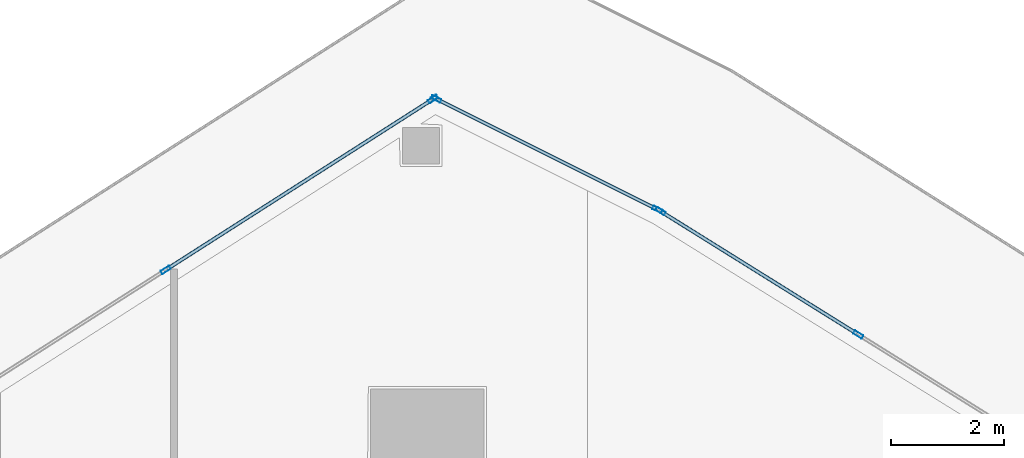
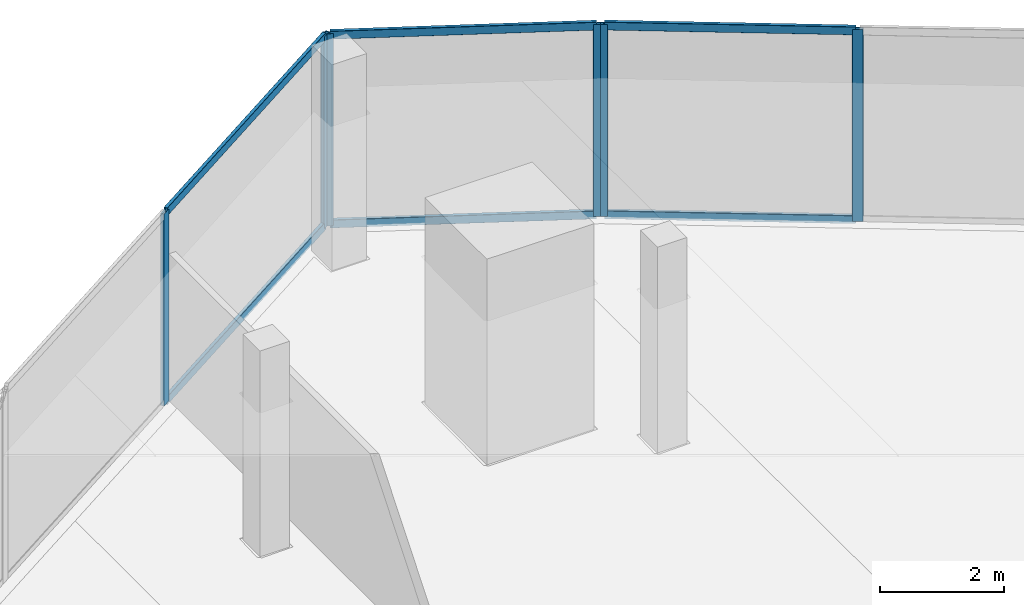
# One storey, part 22 of 37: 12 members, 3 elements without a shape of their own.
"""IFC4 building model written with IfcOpenShell, lengths in metres."""

import ifcopenshell
import ifcopenshell.guid

model = None  # the IFC model being written
_history = None  # IfcOwnerHistory: only IFC2X3 demands one
_inside = {}  # id of a spatial element -> (the spatial element, [elements in it])
_under = {}  # id of a project, library or spatial element -> (it, [spatial elements below it])
_declared = {}  # id of a project -> (the project, [libraries it declares])
_typed = {}  # id of a type object -> (the type object, [elements of that type])
_made_of = {}  # id of a material, layer set ... -> (it, [elements and type objects made of it])


def new_model(schema):
    """Start an empty IFC model of exactly this schema.

    Asked for "IFC4X3", IfcOpenShell would pick the latest addendum, in which some entities
    have other attributes; the version numbers below select the first issue.
    IFC2X3 requires an IfcOwnerHistory on every rooted entity: one is made here for all.
    """
    global model, _history
    if schema == "IFC4X3":
        model = ifcopenshell.file(schema_version=(4, 3, 0, 0))
    else:
        model = ifcopenshell.file(schema=schema)
    _inside.clear()
    _under.clear()
    _declared.clear()
    _typed.clear()
    _made_of.clear()
    _history = None
    if model.schema == "IFC2X3":
        org = make("IfcOrganization", Name="unknown")
        user = make(
            "IfcPersonAndOrganization",
            ThePerson=make("IfcPerson", FamilyName="unknown"),
            TheOrganization=org,
        )
        app = make(
            "IfcApplication",
            ApplicationDeveloper=org,
            Version="unknown",
            ApplicationFullName="unknown",
            ApplicationIdentifier="unknown",
        )
        _history = make(
            "IfcOwnerHistory",
            OwningUser=user,
            OwningApplication=app,
            ChangeAction="ADDED",
            CreationDate=0,
        )
    return model


def make(cls, **values):
    """One entity of the class cls with the attributes given. An attribute that is None is left unset."""
    return model.create_entity(
        cls, **{name: value for name, value in values.items() if value is not None}
    )


def rooted(cls, **values):
    """An entity with a GlobalId (a new one), such as an element, a storey or a relation."""
    return make(cls, GlobalId=ifcopenshell.guid.new(), OwnerHistory=_history, **values)


def si_unit(unit_type, name, prefix=None):
    """IfcSIUnit, for example si_unit("LENGTHUNIT", "METRE", prefix="MILLI")."""
    return make("IfcSIUnit", UnitType=unit_type, Prefix=prefix, Name=name)


def assignment(units):
    """IfcUnitAssignment: the units of a project."""
    return None if units is None else make("IfcUnitAssignment", Units=units)


def point(xyz):
    """IfcCartesianPoint."""
    return None if xyz is None else make("IfcCartesianPoint", Coordinates=xyz)


def direction(xyz):
    """IfcDirection."""
    return None if xyz is None else make("IfcDirection", DirectionRatios=xyz)


def frame(location, z_axis=None, x_axis=None):
    """IfcAxis2Placement3D, a coordinate frame: its origin and axes. An axis left out is left unset."""
    return make(
        "IfcAxis2Placement3D",
        Location=point(location),
        Axis=direction(z_axis),
        RefDirection=direction(x_axis),
    )


def frame_2d(location, x_axis=None):
    """IfcAxis2Placement2D, a coordinate frame in the plane: its origin and x axis."""
    return make(
        "IfcAxis2Placement2D", Location=point(location), RefDirection=direction(x_axis)
    )


def origin():
    """The frame at (0, 0, 0) with its axes left unset."""
    return frame((0.0, 0.0, 0.0))


def origin_2d():
    """The frame at (0, 0) in the plane with its x axis left unset."""
    return frame_2d((0.0, 0.0))


def place(relative_to, where):
    """IfcLocalPlacement: puts the frame where relative to a parent placement (None: the world)."""
    return make(
        "IfcLocalPlacement", PlacementRelTo=relative_to, RelativePlacement=where
    )


def context(
    kind, dimensions, precision=None, world=None, true_north=None, identifier=None
):
    """IfcGeometricRepresentationContext, for example the 3D "Model" context."""
    return make(
        "IfcGeometricRepresentationContext",
        ContextIdentifier=identifier,
        ContextType=kind,
        CoordinateSpaceDimension=dimensions,
        Precision=precision,
        WorldCoordinateSystem=world,
        TrueNorth=true_north,
    )


def subcontext(parent, identifier, kind, view, scale=None):
    """IfcGeometricRepresentationSubContext, for example "Body" below "Model"."""
    return make(
        "IfcGeometricRepresentationSubContext",
        ContextIdentifier=identifier,
        ContextType=kind,
        ParentContext=parent,
        TargetScale=scale,
        TargetView=view,
    )


def project(units=None, contexts=None):
    """IfcProject with its units and contexts."""
    return rooted(
        "IfcProject",
        Name="project",
        RepresentationContexts=contexts,
        UnitsInContext=assignment(units),
    )


def spatial(cls, under=None, at=None, **own):
    """A site, building, storey or space (cls), placed at a placement, below another one or the project."""
    s = rooted(cls, ObjectPlacement=at, **own)
    if under is not None:
        _under.setdefault(under.id(), (under, []))[1].append(s)
    return s


def profile(cls, at=None, kind="AREA", **sizes):
    """A parametric profile (cls). Its sizes go by their IFC names, for example OverallWidth=200.0."""
    return make(cls, ProfileType=kind, Position=at, **sizes)


def hollow_rectangle(**sizes):
    """IfcRectangleHollowProfileDef."""
    return profile("IfcRectangleHollowProfileDef", **sizes)


def extrude(swept, where, along, depth):
    """IfcExtrudedAreaSolid: the profile swept, set in the frame where, extruded along a direction by depth."""
    return make(
        "IfcExtrudedAreaSolid",
        SweptArea=swept,
        Position=where,
        ExtrudedDirection=direction(along),
        Depth=depth,
    )


def shape(context_of_items, identifier, shape_type, items):
    """IfcShapeRepresentation: the items that make up one representation, for example the "Body"."""
    return make(
        "IfcShapeRepresentation",
        ContextOfItems=context_of_items,
        RepresentationIdentifier=identifier,
        RepresentationType=shape_type,
        Items=items,
    )


def material(Name=None, Category=None):
    """IfcMaterial."""
    return make("IfcMaterial", Name=Name, Category=Category)


def layer(
    of_material, thickness, ventilated=None, Name=None, Category=None, Priority=None
):
    """IfcMaterialLayer: one layer of a wall or slab, of a material (None: an air gap)."""
    return make(
        "IfcMaterialLayer",
        Material=of_material,
        LayerThickness=thickness,
        IsVentilated=ventilated,
        Name=Name,
        Category=Category,
        Priority=Priority,
    )


def layer_set(layers, Name=None):
    """IfcMaterialLayerSet."""
    return make("IfcMaterialLayerSet", MaterialLayers=layers, LayerSetName=Name)


def material_profile(
    of_material, cross_section, Name=None, Category=None, Priority=None
):
    """IfcMaterialProfile: a cross section and its material."""
    return make(
        "IfcMaterialProfile",
        Name=Name,
        Material=of_material,
        Profile=cross_section,
        Priority=Priority,
        Category=Category,
    )


def profile_set(profiles, Name=None, composite=None):
    """IfcMaterialProfileSet."""
    return make(
        "IfcMaterialProfileSet",
        Name=Name,
        MaterialProfiles=profiles,
        CompositeProfile=composite,
    )


def made_of(thing, what):
    """Note that an element or type object is made of a material, layer set ...; save() writes the relation."""
    if what is not None:
        _made_of.setdefault(what.id(), (what, []))[1].append(thing)
    return thing


def type_object(cls, material=None, **own):
    """A type object (cls), such as IfcWallType, which elements share."""
    return made_of(rooted(cls, **own), material)


def element(
    cls,
    number,
    at=None,
    inside=None,
    cuts=None,
    type_object=None,
    material=None,
    context=None,
    identifier="Body",
    shape_type=None,
    held_by="IfcProductDefinitionShape",
    body=None,
    shapes=None,
    **own,
):
    """One element of the class cls, such as IfcWall. Its Tag is "e" and its number.

    at: its placement. inside: the storey or other place that contains it. cuts: it is an
    opening in that element (IfcRelVoidsElement). A single representation is given by context,
    identifier, shape_type and body (its items); several are given by shapes. held_by: the class
    of the entity that holds the representations. save() writes the other relations.
    """
    e = rooted(cls, Tag="e%d" % number, ObjectPlacement=at, **own)
    if body is not None:
        shapes = [shape(context, identifier, shape_type, body)]
    if shapes is not None:
        e.Representation = make(held_by, Representations=shapes)
    if inside is not None:
        _inside.setdefault(inside.id(), (inside, []))[1].append(e)
    if cuts is not None:
        rooted(
            "IfcRelVoidsElement", RelatingBuildingElement=cuts, RelatedOpeningElement=e
        )
    if type_object is not None:
        _typed.setdefault(type_object.id(), (type_object, []))[1].append(e)
    return made_of(e, material)


def aggregate(whole, parts):
    """IfcRelAggregates: a whole, such as a stair, and the parts it consists of."""
    return rooted("IfcRelAggregates", RelatingObject=whole, RelatedObjects=parts)


def save(model, path):
    """Write the relations noted so far, then the file.

    IfcRelAggregates (storeys below a building ...), IfcRelContainedInSpatialStructure (elements
    in a storey), IfcRelDefinesByType, IfcRelAssociatesMaterial and IfcRelDeclares: one each for
    every whole, place, type object, material and project.
    """
    for whole, parts in _under.values():
        aggregate(whole, parts)
    for where, things in _inside.values():
        rooted(
            "IfcRelContainedInSpatialStructure",
            RelatedElements=things,
            RelatingStructure=where,
        )
    for kind, things in _typed.values():
        rooted("IfcRelDefinesByType", RelatedObjects=things, RelatingType=kind)
    for what, things in _made_of.values():
        rooted("IfcRelAssociatesMaterial", RelatedObjects=things, RelatingMaterial=what)
    for by, libraries in _declared.values():
        rooted("IfcRelDeclares", RelatingContext=by, RelatedDefinitions=libraries)
    model.write(path)


model = new_model("IFC4")

# Units and contexts
model_context = context("Model", 3, precision=1e-05, world=origin(), true_north=direction((0.0, 1.0)))
body_context = subcontext(model_context, "Body", "Model", "MODEL_VIEW")
ifc_project = project(units=[si_unit("LENGTHUNIT", "METRE"), si_unit("AREAUNIT", "SQUARE_METRE"), si_unit("VOLUMEUNIT", "CUBIC_METRE"), si_unit("PLANEANGLEUNIT", "RADIAN"), si_unit("MASSUNIT", "GRAM", prefix="KILO")], contexts=[model_context])

# Site, building, storey
site_placement = place(None, origin())
site = spatial("IfcSite", under=ifc_project, at=site_placement, CompositionType="ELEMENT")
building_placement = place(site_placement, origin())
building = spatial("IfcBuilding", under=site, at=building_placement, Name="Qorvath Tower", CompositionType="ELEMENT")
storey_placement = place(building_placement, frame((0.0, 0.0, 196.949951171875)))
storey = spatial("IfcBuildingStorey", under=building, at=storey_placement, Name="L45", CompositionType="ELEMENT", Elevation=196.949951171875)

# Curtain wall, members
ifc_material_1 = material(Name="Anodised aluminium and triple low-E glass", Category="aluminium")
ifc_layer = layer(ifc_material_1, 0.179931640625)
ifc_layer_set = layer_set([ifc_layer], Name="CW-SYS-3")
curtain_wall_type = type_object("IfcCurtainWallType", Name="CW-SYS-3", PredefinedType="NOTDEFINED", material=ifc_layer_set)
curtain_wall_1_placement = place(storey_placement, origin())
curtain_wall_1 = element("IfcCurtainWall", 1, at=curtain_wall_1_placement, inside=storey, type_object=curtain_wall_type, Name="Curtain Wall CW-3 CW-T-L45-14.1", PredefinedType="NOTDEFINED")
ifc_material_2 = material(Name="Anodised aluminium 6063-T6", Category="aluminium")
ifc_material_profile_1 = material_profile(ifc_material_2, hollow_rectangle(XDim=0.06494140625, YDim=0.179931640625, WallThickness=0.00341796875, InnerFilletRadius=0.00341796875, OuterFilletRadius=0.007080078125, at=origin_2d()), Name="CWM 180x65")
ifc_profile_set_1 = profile_set([ifc_material_profile_1], Name="Anodised aluminium 6063-T6")
member_type_1 = type_object("IfcMemberType", Name="CWM-180", PredefinedType="MULLION", material=ifc_profile_set_1)
member_1_placement = place(storey_placement, frame((-9.25341796875, 23.590576171875, 0.0), z_axis=(0.0, 0.0, 1.0), x_axis=(-0.529206179006, -0.848493264618, 0.0)))
member_1 = element("IfcMember", 2, at=member_1_placement, type_object=member_type_1, Name="CW-3 mullion 2", PredefinedType="MULLION", context=body_context, shape_type="SweptSolid", body=[
    extrude(hollow_rectangle(XDim=0.06494140625, YDim=0.179931640625, WallThickness=0.00341796875, InnerFilletRadius=0.00341796875, OuterFilletRadius=0.007080078125, at=origin_2d()), origin(), (0.0, 0.0, 1.0), 3.780029296875),
])
member_2_placement = place(storey_placement, frame((-12.748046875, 25.770263671875, 0.0), z_axis=(0.0, 0.0, 1.0), x_axis=(-0.529206179006, -0.848493264618, 0.0)))
member_2 = element("IfcMember", 3, at=member_2_placement, type_object=member_type_1, Name="CW-3 mullion 3", PredefinedType="MULLION", context=body_context, shape_type="SweptSolid", body=[
    extrude(hollow_rectangle(XDim=0.06494140625, YDim=0.179931640625, WallThickness=0.00341796875, InnerFilletRadius=0.00341796875, OuterFilletRadius=0.007080078125, at=origin_2d()), origin(), (0.0, 0.0, 1.0), 3.780029296875),
])

curtain_wall_2_placement = place(storey_placement, origin())
curtain_wall_2 = element("IfcCurtainWall", 4, at=curtain_wall_2_placement, inside=storey, type_object=curtain_wall_type, Name="Curtain Wall CW-3 CW-T-L45-15.1", PredefinedType="NOTDEFINED")
member_3_placement = place(storey_placement, frame((-12.8046875, 25.802001953125, 0.0), z_axis=(0.0, 0.0, 1.0), x_axis=(-0.44720457744, -0.894431699973, 0.0)))
member_3 = element("IfcMember", 5, at=member_3_placement, type_object=member_type_1, Name="CW-3 mullion 1", PredefinedType="MULLION", context=body_context, shape_type="SweptSolid", body=[
    extrude(hollow_rectangle(XDim=0.06494140625, YDim=0.179931640625, WallThickness=0.00341796875, InnerFilletRadius=0.00341796875, OuterFilletRadius=0.007080078125, at=origin_2d()), origin(), (0.0, 0.0, 1.0), 3.780029296875),
])
member_4_placement = place(storey_placement, frame((-16.7138671875, 27.75634765625, 0.0), z_axis=(0.0, 0.0, 1.0), x_axis=(-0.44720457744, -0.894431699973, 0.0)))
member_4 = element("IfcMember", 6, at=member_4_placement, type_object=member_type_1, Name="CW-3 mullion 2", PredefinedType="MULLION", context=body_context, shape_type="SweptSolid", body=[
    extrude(hollow_rectangle(XDim=0.06494140625, YDim=0.179931640625, WallThickness=0.00341796875, InnerFilletRadius=0.00341796875, OuterFilletRadius=0.007080078125, at=origin_2d()), origin(), (0.0, 0.0, 1.0), 3.780029296875),
])

curtain_wall_3_placement = place(storey_placement, origin())
curtain_wall_3 = element("IfcCurtainWall", 7, at=curtain_wall_3_placement, inside=storey, type_object=curtain_wall_type, Name="Curtain Wall CW-3 CW-T-L45-16.1", PredefinedType="NOTDEFINED")
member_5_placement = place(storey_placement, frame((-16.770263671875, 27.75341796875, 0.0), z_axis=(0.0, 0.0, 1.0), x_axis=(0.538533623725, -0.842604020948, 0.0)))
member_5 = element("IfcMember", 8, at=member_5_placement, type_object=member_type_1, Name="CW-3 mullion 1", PredefinedType="MULLION", context=body_context, shape_type="SweptSolid", body=[
    extrude(hollow_rectangle(XDim=0.06494140625, YDim=0.179931640625, WallThickness=0.00341796875, InnerFilletRadius=0.00341796875, OuterFilletRadius=0.007080078125, at=origin_2d()), origin(), (0.0, 0.0, 1.0), 3.780029296875),
])
member_6_placement = place(storey_placement, frame((-21.495361328125, 24.733642578125, 0.0), z_axis=(0.0, 0.0, 1.0), x_axis=(0.538533623725, -0.842604020948, 0.0)))
member_6 = element("IfcMember", 9, at=member_6_placement, type_object=member_type_1, Name="CW-3 mullion 2", PredefinedType="MULLION", context=body_context, shape_type="SweptSolid", body=[
    extrude(hollow_rectangle(XDim=0.06494140625, YDim=0.179931640625, WallThickness=0.00341796875, InnerFilletRadius=0.00341796875, OuterFilletRadius=0.007080078125, at=origin_2d()), origin(), (0.0, 0.0, 1.0), 3.780029296875),
])

# Member
ifc_material_3 = material(Name="Anodised aluminium 6063-T6", Category="aluminium")
ifc_material_profile_2 = material_profile(ifc_material_3, hollow_rectangle(XDim=0.06494140625, YDim=0.159912109375, WallThickness=0.00341796875, InnerFilletRadius=0.00341796875, OuterFilletRadius=0.007080078125, at=origin_2d()), Name="CWT 160x65")
ifc_profile_set_2 = profile_set([ifc_material_profile_2], Name="Anodised aluminium 6063-T6")
member_type_2 = type_object("IfcMemberType", Name="CWT-160", PredefinedType="USERDEFINED", material=ifc_profile_set_2)
member_7_placement = place(storey_placement, frame((-9.281005859375, 23.60791015625, 0.032470703125), z_axis=(-0.848512223459, 0.529175780474, 0.0), x_axis=(-0.529175780474, -0.848512223459, 0.0)))
member_7 = element("IfcMember", 10, at=member_7_placement, type_object=member_type_2, Name="CW-3 transom 2.1", ObjectType="TRANSOM", PredefinedType="USERDEFINED", context=body_context, shape_type="SweptSolid", body=[
    extrude(hollow_rectangle(XDim=0.06494140625, YDim=0.159912109375, WallThickness=0.00341796875, InnerFilletRadius=0.00341796875, OuterFilletRadius=0.007080078125, at=origin_2d()), origin(), (0.0, 0.0, 1.0), 4.053466796875),
])

member_8_placement = place(storey_placement, frame((-9.281005859375, 23.60791015625, 3.74755859375), z_axis=(-0.848512223459, 0.529175780474, 0.0), x_axis=(-0.529175780474, -0.848512223459, 0.0)))
member_8 = element("IfcMember", 11, at=member_8_placement, type_object=member_type_2, Name="CW-3 transom 2.2", ObjectType="TRANSOM", PredefinedType="USERDEFINED", context=body_context, shape_type="SweptSolid", body=[
    extrude(hollow_rectangle(XDim=0.06494140625, YDim=0.159912109375, WallThickness=0.00341796875, InnerFilletRadius=0.00341796875, OuterFilletRadius=0.007080078125, at=origin_2d()), origin(), (0.0, 0.0, 1.0), 4.053466796875),
])

aggregate(curtain_wall_1, [member_1, member_2, member_7, member_8])

member_9_placement = place(storey_placement, frame((-12.833740234375, 25.81640625, 0.032470703125), z_axis=(-0.894427191, 0.4472135955, 0.0), x_axis=(-0.4472135955, -0.894427191, 0.0)))
member_9 = element("IfcMember", 12, at=member_9_placement, type_object=member_type_2, Name="CW-3 transom 1.1", ObjectType="TRANSOM", PredefinedType="USERDEFINED", context=body_context, shape_type="SweptSolid", body=[
    extrude(hollow_rectangle(XDim=0.06494140625, YDim=0.159912109375, WallThickness=0.00341796875, InnerFilletRadius=0.00341796875, OuterFilletRadius=0.007080078125, at=origin_2d()), origin(), (0.0, 0.0, 1.0), 4.3056640625),
])

member_10_placement = place(storey_placement, frame((-12.833740234375, 25.81640625, 3.74755859375), z_axis=(-0.894427191, 0.4472135955, 0.0), x_axis=(-0.4472135955, -0.894427191, 0.0)))
member_10 = element("IfcMember", 13, at=member_10_placement, type_object=member_type_2, Name="CW-3 transom 1.2", ObjectType="TRANSOM", PredefinedType="USERDEFINED", context=body_context, shape_type="SweptSolid", body=[
    extrude(hollow_rectangle(XDim=0.06494140625, YDim=0.159912109375, WallThickness=0.00341796875, InnerFilletRadius=0.00341796875, OuterFilletRadius=0.007080078125, at=origin_2d()), origin(), (0.0, 0.0, 1.0), 4.3056640625),
])

aggregate(curtain_wall_2, [member_3, member_4, member_9, member_10])

member_11_placement = place(storey_placement, frame((-16.797607421875, 27.736083984375, 0.032470703125), z_axis=(-0.842595217297, -0.538547397903, 0.0), x_axis=(0.538547397903, -0.842595217297, 0.0)))
member_11 = element("IfcMember", 14, at=member_11_placement, type_object=member_type_2, Name="CW-3 transom 1.1", ObjectType="TRANSOM", PredefinedType="USERDEFINED", context=body_context, shape_type="SweptSolid", body=[
    extrude(hollow_rectangle(XDim=0.06494140625, YDim=0.159912109375, WallThickness=0.00341796875, InnerFilletRadius=0.00341796875, OuterFilletRadius=0.007080078125, at=origin_2d()), origin(), (0.0, 0.0, 1.0), 5.54296875),
])

member_12_placement = place(storey_placement, frame((-16.797607421875, 27.736083984375, 3.74755859375), z_axis=(-0.842595217297, -0.538547397903, 0.0), x_axis=(0.538547397903, -0.842595217297, 0.0)))
member_12 = element("IfcMember", 15, at=member_12_placement, type_object=member_type_2, Name="CW-3 transom 1.2", ObjectType="TRANSOM", PredefinedType="USERDEFINED", context=body_context, shape_type="SweptSolid", body=[
    extrude(hollow_rectangle(XDim=0.06494140625, YDim=0.159912109375, WallThickness=0.00341796875, InnerFilletRadius=0.00341796875, OuterFilletRadius=0.007080078125, at=origin_2d()), origin(), (0.0, 0.0, 1.0), 5.54296875),
])

aggregate(curtain_wall_3, [member_5, member_6, member_11, member_12])

save(model, "model.ifc")
